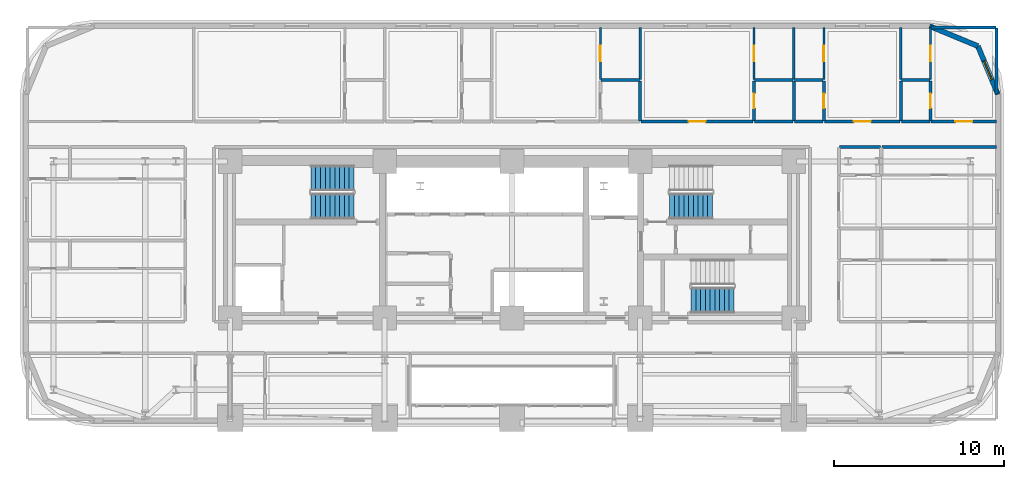
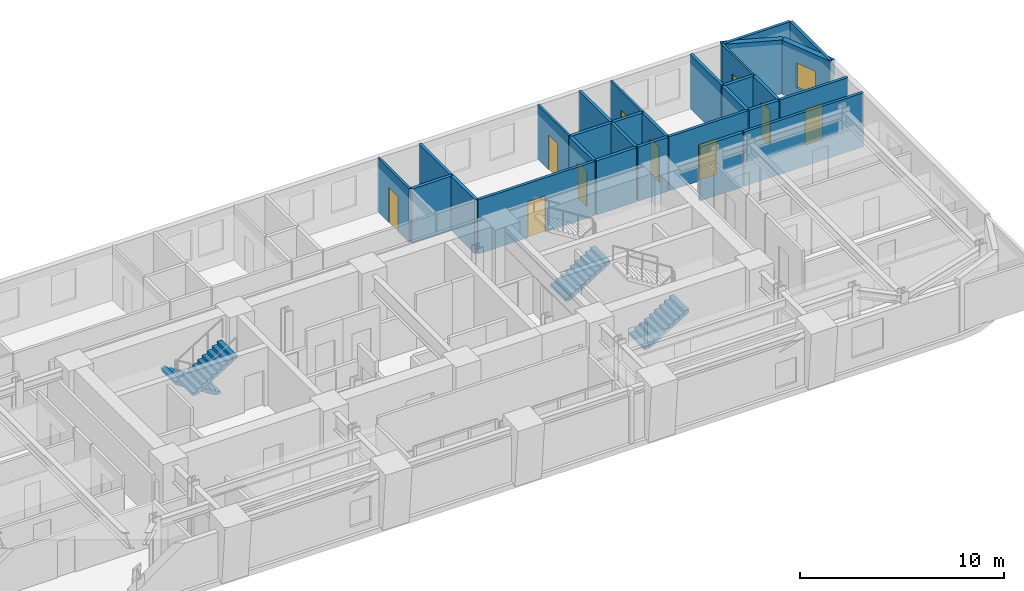
# One storey, part 11 of 16: 29 walls, 10 doors, 4 stair flights, 1 window, 11 openings, 3 elements without a shape of their own.
"""IFC4 building model written with IfcOpenShell, lengths in metres."""

from ifc_helpers import new_model, si_unit, direction, frame, frame_2d, origin, place, context, subcontext, project, spatial, polyline, rectangle, outline, extrude, material, layer, layer_set, type_object, element, fill, aggregate, save


model = new_model("IFC4")

# Units and contexts
model_context = context("Model", 3, precision=1e-05, world=origin(), true_north=direction((0.0, 1.0)))
body_context = subcontext(model_context, "Body", "Model", "MODEL_VIEW")
ifc_project = project(units=[si_unit("LENGTHUNIT", "METRE"), si_unit("AREAUNIT", "SQUARE_METRE"), si_unit("VOLUMEUNIT", "CUBIC_METRE"), si_unit("PLANEANGLEUNIT", "RADIAN"), si_unit("MASSUNIT", "GRAM", prefix="KILO")], contexts=[model_context])

# Site, building, storey
site_placement = place(None, origin())
site = spatial("IfcSite", under=ifc_project, at=site_placement, CompositionType="ELEMENT")
building_placement = place(site_placement, origin())
building = spatial("IfcBuilding", under=site, at=building_placement, Name="Zarnavel Station Tower", CompositionType="ELEMENT")
storey_placement = place(building_placement, frame((0.0, 0.0, 46.5)))
storey = spatial("IfcBuildingStorey", under=building, at=storey_placement, Name="L12", CompositionType="ELEMENT", Elevation=46.5)

# Wall, opening, window
ifc_material_1 = material(Name="Precast concrete C45/55 (Dark Basalt Finish)", Category="masonry")
ifc_layer_1 = layer(ifc_material_1, 0.300048828125)
ifc_layer_set_1 = layer_set([ifc_layer_1], Name="EW_BASALT_300")
wall_type_1 = type_object("IfcWallType", Name="EW_BASALT_300", PredefinedType="SOLIDWALL", material=ifc_layer_set_1)
wall_1_placement = place(storey_placement, frame((56.24267578125, 43.842529296875, 0.0), z_axis=(0.0, 0.0, 1.0), x_axis=(0.382636798336, -0.92389884758, 0.0)))
wall_1 = element("IfcWall", 1, at=wall_1_placement, inside=storey, type_object=wall_type_1, Name="L12 Exterior Basalt Masonry Frame Wall 04", PredefinedType="SOLIDWALL", context=body_context, shape_type="SweptSolid", body=[
    extrude(rectangle(XDim=3.07666015625, YDim=0.300048828125, at=frame_2d((1.538330078125, 0.0))), origin(), (0.0, 0.0, 1.0), 3.239990234375),
])
opening_1_placement = place(wall_1_placement, frame((0.9384765625, 0.0, 0.75)))
opening_1 = element("IfcOpeningElement", 2, at=opening_1_placement, cuts=wall_1, Name="Opening WN08", PredefinedType="OPENING", context=body_context, shape_type="SweptSolid", body=[
    extrude(rectangle(XDim=1.199951171875, YDim=1.5, at=frame_2d((0.60009765625, 0.75))), frame((0.0, 0.159912109375, 0.0), z_axis=(0.0, -1.0, 0.0), x_axis=(1.0, 0.0, 0.0)), (0.0, 0.0, 1.0), 0.320068359375),
])
ifc_material_2 = material(Name="Thermally Broken Black Aluminium and Low-E Dark Glass", Category="aluminium")
window_type = type_object("IfcWindowType", Name="WN_1200x1500", PartitioningType="SINGLE_PANEL", PredefinedType="WINDOW", material=ifc_material_2)
window_placement = place(opening_1_placement, origin())
window = element("IfcWindow", 3, at=window_placement, inside=storey, type_object=window_type, Name="L12 Recessed Facade Window 01", OverallHeight=1.5, OverallWidth=1.199951171875, PartitioningType="SINGLE_PANEL", PredefinedType="WINDOW", context=body_context, shape_type="SweptSolid", body=[
    extrude(rectangle(XDim=1.199951171875, YDim=1.5, at=frame_2d((0.60009765625, 0.75))), frame((0.0, 0.030029296875, 0.0), z_axis=(0.0, -1.0, 0.0), x_axis=(1.0, 0.0, 0.0)), (0.0, 0.0, 1.0), 0.06005859375),
])
fill(opening_1, window)

# Walls
wall_2_placement = place(storey_placement, frame((53.39990234375, 45.02001953125, 0.0), z_axis=(0.0, 0.0, 1.0), x_axis=(0.923882414032, -0.382676475685, 0.0)))
element("IfcWall", 4, at=wall_2_placement, inside=storey, type_object=wall_type_1, Name="L12 Exterior Basalt Masonry Frame Wall 05", PredefinedType="SOLIDWALL", context=body_context, shape_type="SweptSolid", body=[
    extrude(rectangle(XDim=3.076904296875, YDim=0.300048828125, at=frame_2d((1.53857421875, 0.0))), origin(), (0.0, 0.0, 1.0), 3.239990234375),
])
ifc_material_3 = material(Name="Gypsum Twin-Stud Acoustic Fire Partition", Category="concrete")
ifc_layer_2 = layer(ifc_material_3, 0.159912109375)
ifc_layer_set_2 = layer_set([ifc_layer_2], Name="PT_DEMISE_160")
wall_type_2 = type_object("IfcWallType", Name="PT_DEMISE_160", PredefinedType="PARTITIONING", material=ifc_layer_set_2)
wall_3_placement = place(storey_placement, frame((50.590087890625, 37.89990234375, 0.0), z_axis=(0.0, 0.0, 1.0), x_axis=(1.0, 0.0, 0.0)))
element("IfcWall", 5, at=wall_3_placement, inside=storey, type_object=wall_type_2, Name="L12 Partition COR-N-FNE2S", PredefinedType="PARTITIONING", context=body_context, shape_type="SweptSolid", body=[
    extrude(rectangle(XDim=6.75, YDim=0.159912109375, at=frame_2d((3.375, 0.0))), origin(), (0.0, 0.0, 1.0), 3.239990234375),
])

# Wall, opening, door
wall_4_placement = place(storey_placement, frame((36.389892578125, 39.39990234375, 0.0), z_axis=(0.0, 0.0, 1.0), x_axis=(1.0, 0.0, 0.0)))
wall_4 = element("IfcWall", 6, at=wall_4_placement, inside=storey, type_object=wall_type_2, Name="L12 Partition COR-N-HN4R", PredefinedType="PARTITIONING", context=body_context, shape_type="SweptSolid", body=[
    extrude(rectangle(XDim=6.6201171875, YDim=0.159912109375, at=frame_2d((3.31005859375, 0.0))), origin(), (0.0, 0.0, 1.0), 3.239990234375),
])
opening_2_placement = place(wall_4_placement, frame((2.81005859375, 0.0, 0.0)))
opening_2 = element("IfcOpeningElement", 7, at=opening_2_placement, cuts=wall_4, Name="Opening FD02", PredefinedType="OPENING", context=body_context, shape_type="SweptSolid", body=[
    extrude(rectangle(XDim=1.0, YDim=2.14990234375, at=frame_2d((0.5, 1.074951171875))), frame((0.0, 0.08984375, 0.0), z_axis=(0.0, -1.0, 0.0), x_axis=(1.0, 0.0, 0.0)), (0.0, 0.0, 1.0), 0.179931640625),
])
ifc_material_4 = material(Name="Painted Galvanised Steel and Hardwood Leaf", Category="steel")
door_type_1 = type_object("IfcDoorType", Name="ID_ENTRY_1000", OperationType="NOTDEFINED", PredefinedType="DOOR", material=ifc_material_4)
door_1_placement = place(opening_2_placement, origin())
door_1 = element("IfcDoor", 8, at=door_1_placement, inside=storey, type_object=door_type_1, Name="L12 Door COR-N-HN4R", OperationType="SINGLE_SWING_RIGHT", OverallHeight=2.14990234375, OverallWidth=1.0, PredefinedType="DOOR", context=body_context, shape_type="SweptSolid", body=[
    extrude(rectangle(XDim=1.0, YDim=2.14990234375, at=frame_2d((0.5, 1.074951171875))), frame((0.0, 0.02490234375, 0.0), z_axis=(0.0, -1.0, 0.0), x_axis=(1.0, 0.0, 0.0)), (0.0, 0.0, 1.0), 0.050048828125),
])
fill(opening_2, door_1)

wall_5_placement = place(storey_placement, frame((47.205078125, 39.39990234375, 0.0), z_axis=(0.0, 0.0, 1.0), x_axis=(1.0, 0.0, 0.0)))
wall_5 = element("IfcWall", 9, at=wall_5_placement, inside=storey, type_object=wall_type_2, Name="L12 Partition COR-N-HN5R", PredefinedType="PARTITIONING", context=body_context, shape_type="SweptSolid", body=[
    extrude(rectangle(XDim=4.458984375, YDim=0.159912109375, at=frame_2d((2.2294921875, 0.0))), origin(), (0.0, 0.0, 1.0), 3.239990234375),
])
opening_3_placement = place(wall_5_placement, frame((1.7294921875, 0.0, 0.0)))
opening_3 = element("IfcOpeningElement", 10, at=opening_3_placement, cuts=wall_5, Name="Opening FD02", PredefinedType="OPENING", context=body_context, shape_type="SweptSolid", body=[
    extrude(rectangle(XDim=1.0, YDim=2.14990234375, at=frame_2d((0.5, 1.074951171875))), frame((0.0, 0.08984375, 0.0), z_axis=(0.0, -1.0, 0.0), x_axis=(1.0, 0.0, 0.0)), (0.0, 0.0, 1.0), 0.179931640625),
])
door_2_placement = place(opening_3_placement, origin())
door_2 = element("IfcDoor", 11, at=door_2_placement, inside=storey, type_object=door_type_1, Name="L12 Door COR-N-HN5R", OperationType="SINGLE_SWING_LEFT", OverallHeight=2.14990234375, OverallWidth=1.0, PredefinedType="DOOR", context=body_context, shape_type="SweptSolid", body=[
    extrude(rectangle(XDim=1.0, YDim=2.14990234375, at=frame_2d((0.5, 1.074951171875))), frame((0.0, 0.02490234375, 0.0), z_axis=(0.0, -1.0, 0.0), x_axis=(1.0, 0.0, 0.0)), (0.0, 0.0, 1.0), 0.050048828125),
])
fill(opening_3, door_2)

wall_6_placement = place(storey_placement, frame((53.493896484375, 39.39990234375, 0.0), z_axis=(0.0, 0.0, 1.0), x_axis=(1.0, 0.0, 0.0)))
wall_6 = element("IfcWall", 12, at=wall_6_placement, inside=storey, type_object=wall_type_2, Name="L12 Partition COR-N-HN6R", PredefinedType="PARTITIONING", context=body_context, shape_type="SweptSolid", body=[
    extrude(rectangle(XDim=3.84619140625, YDim=0.159912109375, at=frame_2d((1.923095703125, 0.0))), origin(), (0.0, 0.0, 1.0), 3.239990234375),
])
opening_4_placement = place(wall_6_placement, frame((1.423095703125, 0.0, 0.0)))
opening_4 = element("IfcOpeningElement", 13, at=opening_4_placement, cuts=wall_6, Name="Opening FD02", PredefinedType="OPENING", context=body_context, shape_type="SweptSolid", body=[
    extrude(rectangle(XDim=1.0, YDim=2.14990234375, at=frame_2d((0.5, 1.074951171875))), frame((0.0, 0.08984375, 0.0), z_axis=(0.0, -1.0, 0.0), x_axis=(1.0, 0.0, 0.0)), (0.0, 0.0, 1.0), 0.179931640625),
])
door_3_placement = place(opening_4_placement, origin())
door_3 = element("IfcDoor", 14, at=door_3_placement, inside=storey, type_object=door_type_1, Name="L12 Door COR-N-HN6R", OperationType="SINGLE_SWING_RIGHT", OverallHeight=2.14990234375, OverallWidth=1.0, PredefinedType="DOOR", context=body_context, shape_type="SweptSolid", body=[
    extrude(rectangle(XDim=1.0, YDim=2.14990234375, at=frame_2d((0.5, 1.074951171875))), frame((0.0, 0.02490234375, 0.0), z_axis=(0.0, -1.0, 0.0), x_axis=(1.0, 0.0, 0.0)), (0.0, 0.0, 1.0), 0.050048828125),
])
fill(opening_4, door_3)

# Walls
for number, where, z_axis, x_axis, name in (
    (15, (36.35009765625, 41.8779296875, 0.0), (0.0, 0.0, 1.0), (0.0, 1.0, 0.0), "L12 Partition HN3S-HN4R"),
    (16, (45.39990234375, 41.8779296875, 0.0), (0.0, 0.0, 1.0), (0.0, 1.0, 0.0), "L12 Partition HN4S-HN5S"),
    (17, (51.7041015625, 41.8779296875, 0.0), (0.0, 0.0, 1.0), (0.0, 1.0, 0.0), "L12 Partition HN5R-HN6S"),
):
    element("IfcWall", number, at=place(storey_placement, frame(where, z_axis=z_axis, x_axis=x_axis)), inside=storey, type_object=wall_type_2, Name=name, PredefinedType="PARTITIONING", context=body_context, shape_type="SweptSolid", body=[
        extrude(rectangle(XDim=3.06201171875, YDim=0.159912109375, at=frame_2d((1.531005859375, 0.0))), origin(), (0.0, 0.0, 1.0), 3.239990234375),
    ])
wall_7_placement = place(storey_placement, frame((53.48388671875, 44.93994140625, 0.0), z_axis=(0.0, 0.0, 1.0), x_axis=(1.0, 0.0, 0.0)))
element("IfcWall", 18, at=wall_7_placement, inside=storey, type_object=wall_type_2, Name="L12 Enclosure Wall HN6R", PredefinedType="PARTITIONING", context=body_context, shape_type="SweptSolid", body=[
    extrude(rectangle(XDim=3.826171875, YDim=0.159912109375, at=frame_2d((1.9130859375, 0.0))), origin(), (0.0, 0.0, 1.0), 3.239990234375),
])
wall_8_placement = place(storey_placement, frame((57.340087890625, 41.030029296875, 0.0), z_axis=(0.0, 0.0, 1.0), x_axis=(0.0, 1.0, 0.0)))
element("IfcWall", 19, at=wall_8_placement, inside=storey, type_object=wall_type_2, Name="L12 Enclosure Wall HN6R", PredefinedType="PARTITIONING", context=body_context, shape_type="SweptSolid", body=[
    extrude(rectangle(XDim=3.8798828125, YDim=0.159912109375, at=frame_2d((1.93994140625, 0.0))), origin(), (0.0, 0.0, 1.0), 3.239990234375),
])

# Wall, opening, door
ifc_material_5 = material(Name="Gypsum Metal-Stud Interior Partition", Category="concrete")
ifc_layer_3 = layer(ifc_material_5, 0.1201171875)
ifc_layer_set_3 = layer_set([ifc_layer_3], Name="PT_ROOM_120")
wall_type_3 = type_object("IfcWallType", Name="PT_ROOM_120", PredefinedType="PARTITIONING", material=ifc_layer_set_3)
wall_9_placement = place(storey_placement, frame((34.0, 41.8779296875, 0.0), z_axis=(0.0, 0.0, 1.0), x_axis=(0.0, 1.0, 0.0)))
wall_9 = element("IfcWall", 20, at=wall_9_placement, inside=storey, type_object=wall_type_3, Name="L12 Partition HN3R-HN3S", PredefinedType="PARTITIONING", context=body_context, shape_type="SweptSolid", body=[
    extrude(rectangle(XDim=3.06201171875, YDim=0.1201171875, at=frame_2d((1.531005859375, 0.0))), origin(), (0.0, 0.0, 1.0), 3.239990234375),
])
opening_5_placement = place(wall_9_placement, frame((1.0810546875, 0.0, 0.0)))
opening_5 = element("IfcOpeningElement", 21, at=opening_5_placement, cuts=wall_9, Name="Opening ID01", PredefinedType="OPENING", context=body_context, shape_type="SweptSolid", body=[
    extrude(rectangle(XDim=0.89990234375, YDim=2.10009765625, at=frame_2d((0.449951171875, 1.050048828125))), frame((0.0, 0.070068359375, 0.0), z_axis=(0.0, -1.0, 0.0), x_axis=(1.0, 0.0, 0.0)), (0.0, 0.0, 1.0), 0.14013671875),
])
ifc_material_6 = material(Name="Painted Galvanised Steel and Hardwood Leaf", Category="steel")
door_type_2 = type_object("IfcDoorType", Name="ID_ROOM_900", OperationType="NOTDEFINED", PredefinedType="DOOR", material=ifc_material_6)
door_4_placement = place(opening_5_placement, origin())
door_4 = element("IfcDoor", 22, at=door_4_placement, inside=storey, type_object=door_type_2, Name="L12 Door HN3R-HN3S", OperationType="SINGLE_SWING_RIGHT", OverallHeight=2.10009765625, OverallWidth=0.89990234375, PredefinedType="DOOR", context=body_context, shape_type="SweptSolid", body=[
    extrude(rectangle(XDim=0.89990234375, YDim=2.10009765625, at=frame_2d((0.449951171875, 1.050048828125))), frame((0.0, 0.02490234375, 0.0), z_axis=(0.0, -1.0, 0.0), x_axis=(1.0, 0.0, 0.0)), (0.0, 0.0, 1.0), 0.050048828125),
])
fill(opening_5, door_4)

wall_10_placement = place(storey_placement, frame((43.050048828125, 41.8779296875, 0.0), z_axis=(0.0, 0.0, 1.0), x_axis=(0.0, 1.0, 0.0)))
wall_10 = element("IfcWall", 23, at=wall_10_placement, inside=storey, type_object=wall_type_3, Name="L12 Partition HN4R-HN4S", PredefinedType="PARTITIONING", context=body_context, shape_type="SweptSolid", body=[
    extrude(rectangle(XDim=3.06201171875, YDim=0.1201171875, at=frame_2d((1.531005859375, 0.0))), origin(), (0.0, 0.0, 1.0), 3.239990234375),
])
opening_6_placement = place(wall_10_placement, frame((1.0810546875, 0.0, 0.0)))
opening_6 = element("IfcOpeningElement", 24, at=opening_6_placement, cuts=wall_10, Name="Opening ID01", PredefinedType="OPENING", context=body_context, shape_type="SweptSolid", body=[
    extrude(rectangle(XDim=0.89990234375, YDim=2.10009765625, at=frame_2d((0.449951171875, 1.050048828125))), frame((0.0, 0.070068359375, 0.0), z_axis=(0.0, -1.0, 0.0), x_axis=(1.0, 0.0, 0.0)), (0.0, 0.0, 1.0), 0.14013671875),
])
door_5_placement = place(opening_6_placement, origin())
door_5 = element("IfcDoor", 25, at=door_5_placement, inside=storey, type_object=door_type_2, Name="L12 Door HN4R-HN4S", OperationType="SINGLE_SWING_RIGHT", OverallHeight=2.10009765625, OverallWidth=0.89990234375, PredefinedType="DOOR", context=body_context, shape_type="SweptSolid", body=[
    extrude(rectangle(XDim=0.89990234375, YDim=2.10009765625, at=frame_2d((0.449951171875, 1.050048828125))), frame((0.0, 0.02490234375, 0.0), z_axis=(0.0, -1.0, 0.0), x_axis=(1.0, 0.0, 0.0)), (0.0, 0.0, 1.0), 0.050048828125),
])
fill(opening_6, door_5)

wall_11_placement = place(storey_placement, frame((47.1650390625, 41.8779296875, 0.0), z_axis=(0.0, 0.0, 1.0), x_axis=(0.0, 1.0, 0.0)))
wall_11 = element("IfcWall", 26, at=wall_11_placement, inside=storey, type_object=wall_type_3, Name="L12 Partition HN5R-HN5S", PredefinedType="PARTITIONING", context=body_context, shape_type="SweptSolid", body=[
    extrude(rectangle(XDim=3.06201171875, YDim=0.1201171875, at=frame_2d((1.531005859375, 0.0))), origin(), (0.0, 0.0, 1.0), 3.239990234375),
])
opening_7_placement = place(wall_11_placement, frame((1.0810546875, 0.0, 0.0)))
opening_7 = element("IfcOpeningElement", 27, at=opening_7_placement, cuts=wall_11, Name="Opening ID01", PredefinedType="OPENING", context=body_context, shape_type="SweptSolid", body=[
    extrude(rectangle(XDim=0.89990234375, YDim=2.10009765625, at=frame_2d((0.449951171875, 1.050048828125))), frame((0.0, 0.070068359375, 0.0), z_axis=(0.0, -1.0, 0.0), x_axis=(1.0, 0.0, 0.0)), (0.0, 0.0, 1.0), 0.14013671875),
])
door_6_placement = place(opening_7_placement, origin())
door_6 = element("IfcDoor", 28, at=door_6_placement, inside=storey, type_object=door_type_2, Name="L12 Door HN5R-HN5S", OperationType="SINGLE_SWING_RIGHT", OverallHeight=2.10009765625, OverallWidth=0.89990234375, PredefinedType="DOOR", context=body_context, shape_type="SweptSolid", body=[
    extrude(rectangle(XDim=0.89990234375, YDim=2.10009765625, at=frame_2d((0.449951171875, 1.050048828125))), frame((0.0, 0.02490234375, 0.0), z_axis=(0.0, -1.0, 0.0), x_axis=(1.0, 0.0, 0.0)), (0.0, 0.0, 1.0), 0.050048828125),
])
fill(opening_7, door_6)

wall_12_placement = place(storey_placement, frame((53.4541015625, 41.8779296875, 0.0), z_axis=(0.0, 0.0, 1.0), x_axis=(0.0, 1.0, 0.0)))
wall_12 = element("IfcWall", 29, at=wall_12_placement, inside=storey, type_object=wall_type_3, Name="L12 Partition HN6R-HN6S", PredefinedType="PARTITIONING", context=body_context, shape_type="SweptSolid", body=[
    extrude(rectangle(XDim=3.06201171875, YDim=0.1201171875, at=frame_2d((1.531005859375, 0.0))), origin(), (0.0, 0.0, 1.0), 3.239990234375),
])
opening_8_placement = place(wall_12_placement, frame((1.0810546875, 0.0, 0.0)))
opening_8 = element("IfcOpeningElement", 30, at=opening_8_placement, cuts=wall_12, Name="Opening ID01", PredefinedType="OPENING", context=body_context, shape_type="SweptSolid", body=[
    extrude(rectangle(XDim=0.89990234375, YDim=2.10009765625, at=frame_2d((0.449951171875, 1.050048828125))), frame((0.0, 0.070068359375, 0.0), z_axis=(0.0, -1.0, 0.0), x_axis=(1.0, 0.0, 0.0)), (0.0, 0.0, 1.0), 0.14013671875),
])
door_7_placement = place(opening_8_placement, origin())
door_7 = element("IfcDoor", 31, at=door_7_placement, inside=storey, type_object=door_type_2, Name="L12 Door HN6R-HN6S", OperationType="SINGLE_SWING_RIGHT", OverallHeight=2.10009765625, OverallWidth=0.89990234375, PredefinedType="DOOR", context=body_context, shape_type="SweptSolid", body=[
    extrude(rectangle(XDim=0.89990234375, YDim=2.10009765625, at=frame_2d((0.449951171875, 1.050048828125))), frame((0.0, 0.02490234375, 0.0), z_axis=(0.0, -1.0, 0.0), x_axis=(1.0, 0.0, 0.0)), (0.0, 0.0, 1.0), 0.050048828125),
])
fill(opening_8, door_7)

# Walls
ifc_material_7 = material(Name="Moisture-Resistant Plumbing Chase Wall", Category="concrete")
ifc_layer_4 = layer(ifc_material_7, 0.179931640625)
ifc_layer_set_4 = layer_set([ifc_layer_4], Name="PW_PLUMB_180")
wall_type_4 = type_object("IfcWallType", Name="PW_PLUMB_180", PredefinedType="PLUMBINGWALL", material=ifc_layer_set_4)
wall_13_placement = place(storey_placement, frame((48.090087890625, 37.89990234375, 0.0), z_axis=(0.0, 0.0, 1.0), x_axis=(1.0, 0.0, 0.0)))
element("IfcWall", 32, at=wall_13_placement, inside=storey, type_object=wall_type_4, Name="L12 Partition COR-N-FNE2B", PredefinedType="PLUMBINGWALL", context=body_context, shape_type="SweptSolid", body=[
    extrude(rectangle(XDim=2.419921875, YDim=0.179931640625, at=frame_2d((1.2099609375, 0.0))), origin(), (0.0, 0.0, 1.0), 3.239990234375),
])
wall_14_placement = place(storey_placement, frame((43.090087890625, 39.39990234375, 0.0), z_axis=(0.0, 0.0, 1.0), x_axis=(1.0, 0.0, 0.0)))
element("IfcWall", 33, at=wall_14_placement, inside=storey, type_object=wall_type_4, Name="L12 Partition COR-N-HN4B", PredefinedType="PLUMBINGWALL", context=body_context, shape_type="SweptSolid", body=[
    extrude(rectangle(XDim=2.27001953125, YDim=0.179931640625, at=frame_2d((1.135009765625, 0.0))), origin(), (0.0, 0.0, 1.0), 3.239990234375),
])
wall_15_placement = place(storey_placement, frame((45.43994140625, 39.39990234375, 0.0), z_axis=(0.0, 0.0, 1.0), x_axis=(1.0, 0.0, 0.0)))
element("IfcWall", 34, at=wall_15_placement, inside=storey, type_object=wall_type_4, Name="L12 Partition COR-N-HN5B", PredefinedType="PLUMBINGWALL", context=body_context, shape_type="SweptSolid", body=[
    extrude(rectangle(XDim=1.68505859375, YDim=0.179931640625, at=frame_2d((0.842529296875, 0.0))), origin(), (0.0, 0.0, 1.0), 3.239990234375),
])
wall_16_placement = place(storey_placement, frame((51.743896484375, 39.39990234375, 0.0), z_axis=(0.0, 0.0, 1.0), x_axis=(1.0, 0.0, 0.0)))
element("IfcWall", 35, at=wall_16_placement, inside=storey, type_object=wall_type_4, Name="L12 Partition COR-N-HN6B", PredefinedType="PLUMBINGWALL", context=body_context, shape_type="SweptSolid", body=[
    extrude(rectangle(XDim=1.670166015625, YDim=0.179931640625, at=frame_2d((0.8349609375, 0.0))), origin(), (0.0, 0.0, 1.0), 3.239990234375),
])
wall_17_placement = place(storey_placement, frame((34.0400390625, 41.837890625, 0.0), z_axis=(0.0, 0.0, 1.0), x_axis=(1.0, 0.0, 0.0)))
element("IfcWall", 36, at=wall_17_placement, inside=storey, type_object=wall_type_4, Name="L12 Partition HN3B-HN3S", PredefinedType="PLUMBINGWALL", context=body_context, shape_type="SweptSolid", body=[
    extrude(rectangle(XDim=2.27001953125, YDim=0.179931640625, at=frame_2d((1.135009765625, 0.0))), origin(), (0.0, 0.0, 1.0), 3.239990234375),
])
wall_18_placement = place(storey_placement, frame((36.35009765625, 39.43994140625, 0.0), z_axis=(0.0, 0.0, 1.0), x_axis=(0.0, 1.0, 0.0)))
element("IfcWall", 37, at=wall_18_placement, inside=storey, type_object=wall_type_4, Name="L12 Partition HN3B-HN4R", PredefinedType="PLUMBINGWALL", context=body_context, shape_type="SweptSolid", body=[
    extrude(rectangle(XDim=2.358154296875, YDim=0.179931640625, at=frame_2d((1.17919921875, 0.0))), origin(), (0.0, 0.0, 1.0), 3.239990234375),
])

# Wall, opening, door
wall_19_placement = place(storey_placement, frame((43.050048828125, 39.43994140625, 0.0), z_axis=(0.0, 0.0, 1.0), x_axis=(0.0, 1.0, 0.0)))
wall_19 = element("IfcWall", 38, at=wall_19_placement, inside=storey, type_object=wall_type_4, Name="L12 Partition HN4R-HN4B", PredefinedType="PLUMBINGWALL", context=body_context, shape_type="SweptSolid", body=[
    extrude(rectangle(XDim=2.358154296875, YDim=0.179931640625, at=frame_2d((1.17919921875, 0.0))), origin(), (0.0, 0.0, 1.0), 3.239990234375),
])
opening_9_placement = place(wall_19_placement, frame((0.75390625, 0.0, 0.0)))
opening_9 = element("IfcOpeningElement", 39, at=opening_9_placement, cuts=wall_19, Name="Opening ID02", PredefinedType="OPENING", context=body_context, shape_type="SweptSolid", body=[
    extrude(rectangle(XDim=0.85009765625, YDim=2.10009765625, at=frame_2d((0.425048828125, 1.050048828125))), frame((0.0, 0.099853515625, 0.0), z_axis=(0.0, -1.0, 0.0), x_axis=(1.0, 0.0, 0.0)), (0.0, 0.0, 1.0), 0.199951171875),
])
ifc_material_8 = material(Name="Painted Galvanised Steel and Hardwood Leaf", Category="steel")
door_type_3 = type_object("IfcDoorType", Name="ID_BATH_850", OperationType="NOTDEFINED", PredefinedType="DOOR", material=ifc_material_8)
door_8_placement = place(opening_9_placement, origin())
door_8 = element("IfcDoor", 40, at=door_8_placement, inside=storey, type_object=door_type_3, Name="L12 Door HN4R-HN4B", OperationType="SINGLE_SWING_LEFT", OverallHeight=2.10009765625, OverallWidth=0.85009765625, PredefinedType="DOOR", context=body_context, shape_type="SweptSolid", body=[
    extrude(rectangle(XDim=0.85009765625, YDim=2.10009765625, at=frame_2d((0.425048828125, 1.050048828125))), frame((0.0, 0.02490234375, 0.0), z_axis=(0.0, -1.0, 0.0), x_axis=(1.0, 0.0, 0.0)), (0.0, 0.0, 1.0), 0.050048828125),
])
fill(opening_9, door_8)

# Walls
wall_20_placement = place(storey_placement, frame((43.090087890625, 41.837890625, 0.0), z_axis=(0.0, 0.0, 1.0), x_axis=(1.0, 0.0, 0.0)))
element("IfcWall", 41, at=wall_20_placement, inside=storey, type_object=wall_type_4, Name="L12 Partition HN4B-HN4S", PredefinedType="PLUMBINGWALL", context=body_context, shape_type="SweptSolid", body=[
    extrude(rectangle(XDim=2.27001953125, YDim=0.179931640625, at=frame_2d((1.135009765625, 0.0))), origin(), (0.0, 0.0, 1.0), 3.239990234375),
])
wall_21_placement = place(storey_placement, frame((45.39990234375, 39.43994140625, 0.0), z_axis=(0.0, 0.0, 1.0), x_axis=(0.0, 1.0, 0.0)))
element("IfcWall", 42, at=wall_21_placement, inside=storey, type_object=wall_type_4, Name="L12 Partition HN4B-HN5B", PredefinedType="PLUMBINGWALL", context=body_context, shape_type="SweptSolid", body=[
    extrude(rectangle(XDim=2.358154296875, YDim=0.179931640625, at=frame_2d((1.17919921875, 0.0))), origin(), (0.0, 0.0, 1.0), 3.239990234375),
])

# Wall, opening, door
wall_22_placement = place(storey_placement, frame((47.1650390625, 39.43994140625, 0.0), z_axis=(0.0, 0.0, 1.0), x_axis=(0.0, 1.0, 0.0)))
wall_22 = element("IfcWall", 43, at=wall_22_placement, inside=storey, type_object=wall_type_4, Name="L12 Partition HN5R-HN5B", PredefinedType="PLUMBINGWALL", context=body_context, shape_type="SweptSolid", body=[
    extrude(rectangle(XDim=2.358154296875, YDim=0.179931640625, at=frame_2d((1.17919921875, 0.0))), origin(), (0.0, 0.0, 1.0), 3.239990234375),
])
opening_10_placement = place(wall_22_placement, frame((0.75390625, 0.0, 0.0)))
opening_10 = element("IfcOpeningElement", 44, at=opening_10_placement, cuts=wall_22, Name="Opening ID02", PredefinedType="OPENING", context=body_context, shape_type="SweptSolid", body=[
    extrude(rectangle(XDim=0.85009765625, YDim=2.10009765625, at=frame_2d((0.425048828125, 1.050048828125))), frame((0.0, 0.099853515625, 0.0), z_axis=(0.0, -1.0, 0.0), x_axis=(1.0, 0.0, 0.0)), (0.0, 0.0, 1.0), 0.199951171875),
])
door_9_placement = place(opening_10_placement, origin())
door_9 = element("IfcDoor", 45, at=door_9_placement, inside=storey, type_object=door_type_3, Name="L12 Door HN5R-HN5B", OperationType="SINGLE_SWING_LEFT", OverallHeight=2.10009765625, OverallWidth=0.85009765625, PredefinedType="DOOR", context=body_context, shape_type="SweptSolid", body=[
    extrude(rectangle(XDim=0.85009765625, YDim=2.10009765625, at=frame_2d((0.425048828125, 1.050048828125))), frame((0.0, 0.02490234375, 0.0), z_axis=(0.0, -1.0, 0.0), x_axis=(1.0, 0.0, 0.0)), (0.0, 0.0, 1.0), 0.050048828125),
])
fill(opening_10, door_9)

# Walls
wall_23_placement = place(storey_placement, frame((51.7041015625, 39.43994140625, 0.0), z_axis=(0.0, 0.0, 1.0), x_axis=(0.0, 1.0, 0.0)))
element("IfcWall", 46, at=wall_23_placement, inside=storey, type_object=wall_type_4, Name="L12 Partition HN5R-HN6B", PredefinedType="PLUMBINGWALL", context=body_context, shape_type="SweptSolid", body=[
    extrude(rectangle(XDim=2.358154296875, YDim=0.179931640625, at=frame_2d((1.17919921875, 0.0))), origin(), (0.0, 0.0, 1.0), 3.239990234375),
])
wall_24_placement = place(storey_placement, frame((45.43994140625, 41.837890625, 0.0), z_axis=(0.0, 0.0, 1.0), x_axis=(1.0, 0.0, 0.0)))
element("IfcWall", 47, at=wall_24_placement, inside=storey, type_object=wall_type_4, Name="L12 Partition HN5B-HN5S", PredefinedType="PLUMBINGWALL", context=body_context, shape_type="SweptSolid", body=[
    extrude(rectangle(XDim=1.68505859375, YDim=0.179931640625, at=frame_2d((0.842529296875, 0.0))), origin(), (0.0, 0.0, 1.0), 3.239990234375),
])

# Wall, opening, door
wall_25_placement = place(storey_placement, frame((53.4541015625, 39.43994140625, 0.0), z_axis=(0.0, 0.0, 1.0), x_axis=(0.0, 1.0, 0.0)))
wall_25 = element("IfcWall", 48, at=wall_25_placement, inside=storey, type_object=wall_type_4, Name="L12 Partition HN6R-HN6B", PredefinedType="PLUMBINGWALL", context=body_context, shape_type="SweptSolid", body=[
    extrude(rectangle(XDim=2.358154296875, YDim=0.179931640625, at=frame_2d((1.17919921875, 0.0))), origin(), (0.0, 0.0, 1.0), 3.239990234375),
])
opening_11_placement = place(wall_25_placement, frame((0.75390625, 0.0, 0.0)))
opening_11 = element("IfcOpeningElement", 49, at=opening_11_placement, cuts=wall_25, Name="Opening ID02", PredefinedType="OPENING", context=body_context, shape_type="SweptSolid", body=[
    extrude(rectangle(XDim=0.85009765625, YDim=2.10009765625, at=frame_2d((0.425048828125, 1.050048828125))), frame((0.0, 0.099853515625, 0.0), z_axis=(0.0, -1.0, 0.0), x_axis=(1.0, 0.0, 0.0)), (0.0, 0.0, 1.0), 0.199951171875),
])
door_10_placement = place(opening_11_placement, origin())
door_10 = element("IfcDoor", 50, at=door_10_placement, inside=storey, type_object=door_type_3, Name="L12 Door HN6R-HN6B", OperationType="SINGLE_SWING_LEFT", OverallHeight=2.10009765625, OverallWidth=0.85009765625, PredefinedType="DOOR", context=body_context, shape_type="SweptSolid", body=[
    extrude(rectangle(XDim=0.85009765625, YDim=2.10009765625, at=frame_2d((0.425048828125, 1.050048828125))), frame((0.0, 0.02490234375, 0.0), z_axis=(0.0, -1.0, 0.0), x_axis=(1.0, 0.0, 0.0)), (0.0, 0.0, 1.0), 0.050048828125),
])
fill(opening_11, door_10)

# Wall
wall_26_placement = place(storey_placement, frame((51.743896484375, 41.837890625, 0.0), z_axis=(0.0, 0.0, 1.0), x_axis=(1.0, 0.0, 0.0)))
element("IfcWall", 51, at=wall_26_placement, inside=storey, type_object=wall_type_4, Name="L12 Partition HN6B-HN6S", PredefinedType="PLUMBINGWALL", context=body_context, shape_type="SweptSolid", body=[
    extrude(rectangle(XDim=1.670166015625, YDim=0.179931640625, at=frame_2d((0.8349609375, 0.0))), origin(), (0.0, 0.0, 1.0), 3.239990234375),
])

# Stair, stair flights
ifc_material_9 = material(Name="Concrete C45/55", Category="concrete")
stair_type = type_object("IfcStairType", Name="ST_CORE_150", PredefinedType="HALF_TURN_STAIR", material=ifc_material_9)
stair_1_placement = place(storey_placement, origin())
stair_1 = element("IfcStair", 52, at=stair_1_placement, inside=storey, type_object=stair_type, Name="L12 Core Exit Stair ST1", PredefinedType="HALF_TURN_STAIR")
ifc_material_10 = material(Name="Concrete C45/55", Category="concrete")
ifc_layer_5 = layer(ifc_material_10, 0.179931640625)
ifc_layer_set_5 = layer_set([ifc_layer_5], Name="ST_CORE_150_FLT")
stair_flight_type = type_object("IfcStairFlightType", Name="ST_CORE_150_FLT", PredefinedType="STRAIGHT", material=ifc_layer_set_5)
stair_flight_1_placement = place(storey_placement, frame((19.47998046875, 36.070068359375, 0.0), z_axis=(0.0, 0.0, 1.0), x_axis=(-1.0, 0.0, 0.0)))
stair_flight_1 = element("IfcStairFlight", 53, at=stair_flight_1_placement, type_object=stair_flight_type, Name="ST1 flight 1", NumberOfRisers=10, NumberOfTreads=9, PredefinedType="STRAIGHT", RiserHeight=0.175, TreadLength=0.28, context=body_context, shape_type="SweptSolid", body=[
    extrude(outline(polyline([(0.0, 0.0), (0.0, 0.175048828125), (0.280029296875, 0.175048828125), (0.280029296875, 0.35009765625), (0.56005859375, 0.35009765625), (0.56005859375, 0.52490234375), (0.840087890625, 0.52490234375), (0.840087890625, 0.699951171875), (1.1201171875, 0.699951171875), (1.1201171875, 0.875), (1.39990234375, 0.875), (1.39990234375, 1.050048828125), (1.679931640625, 1.050048828125), (1.679931640625, 1.22509765625), (1.9599609375, 1.22509765625), (1.9599609375, 1.39990234375), (2.239990234375, 1.39990234375), (2.239990234375, 1.574951171875), (2.52001953125, 1.574951171875), (2.52001953125, 1.75), (2.52001953125, 1.398193359375), (0.28271484375, 0.0), (0.0, 0.0)])), frame((0.0, 0.75, 0.0), z_axis=(0.0, -1.0, 0.0), x_axis=(1.0, 0.0, 0.0)), (0.0, 0.0, 1.0), 1.5),
])
stair_flight_2_placement = place(storey_placement, frame((16.9599609375, 34.409912109375, 1.75), z_axis=(0.0, 0.0, 1.0), x_axis=(1.0, 0.0, 0.0)))
stair_flight_2 = element("IfcStairFlight", 54, at=stair_flight_2_placement, type_object=stair_flight_type, Name="ST1 flight 2", NumberOfRisers=10, NumberOfTreads=9, PredefinedType="STRAIGHT", RiserHeight=0.175, TreadLength=0.28, context=body_context, shape_type="SweptSolid", body=[
    extrude(outline(polyline([(0.0, 0.0), (0.0, 0.175048828125), (0.280029296875, 0.175048828125), (0.280029296875, 0.35009765625), (0.56005859375, 0.35009765625), (0.56005859375, 0.52490234375), (0.840087890625, 0.52490234375), (0.840087890625, 0.699951171875), (1.1201171875, 0.699951171875), (1.1201171875, 0.875), (1.39990234375, 0.875), (1.39990234375, 1.050048828125), (1.679931640625, 1.050048828125), (1.679931640625, 1.22509765625), (1.9599609375, 1.22509765625), (1.9599609375, 1.39990234375), (2.239990234375, 1.39990234375), (2.239990234375, 1.574951171875), (2.52001953125, 1.574951171875), (2.52001953125, 1.75), (2.52001953125, 1.398193359375), (0.28271484375, 0.0), (0.0, 0.0)])), frame((0.0, 0.75, 0.0), z_axis=(0.0, -1.0, 0.0), x_axis=(1.0, 0.0, 0.0)), (0.0, 0.0, 1.0), 1.5),
])
aggregate(stair_1, [stair_flight_1, stair_flight_2])

# Stair, stair flight
stair_2_placement = place(storey_placement, origin())
stair_2 = element("IfcStair", 55, at=stair_2_placement, inside=storey, type_object=stair_type, Name="L12 Core Exit Stair ST2", PredefinedType="HALF_TURN_STAIR")
stair_flight_3_placement = place(storey_placement, frame((38.080078125, 34.409912109375, 0.0), z_axis=(0.0, 0.0, 1.0), x_axis=(1.0, 0.0, 0.0)))
stair_flight_3 = element("IfcStairFlight", 56, at=stair_flight_3_placement, type_object=stair_flight_type, Name="ST2 flight 1", NumberOfRisers=10, NumberOfTreads=9, PredefinedType="STRAIGHT", RiserHeight=0.175, TreadLength=0.28, context=body_context, shape_type="SweptSolid", body=[
    extrude(outline(polyline([(0.0, 0.0), (0.0, 0.175048828125), (0.280029296875, 0.175048828125), (0.280029296875, 0.35009765625), (0.56005859375, 0.35009765625), (0.56005859375, 0.52490234375), (0.840087890625, 0.52490234375), (0.840087890625, 0.699951171875), (1.1201171875, 0.699951171875), (1.1201171875, 0.875), (1.39990234375, 0.875), (1.39990234375, 1.050048828125), (1.679931640625, 1.050048828125), (1.679931640625, 1.22509765625), (1.9599609375, 1.22509765625), (1.9599609375, 1.39990234375), (2.239990234375, 1.39990234375), (2.239990234375, 1.574951171875), (2.52001953125, 1.574951171875), (2.52001953125, 1.75), (2.52001953125, 1.398193359375), (0.28271484375, 0.0), (0.0, 0.0)])), frame((0.0, 0.75, 0.0), z_axis=(0.0, -1.0, 0.0), x_axis=(1.0, 0.0, 0.0)), (0.0, 0.0, 1.0), 1.5),
])
aggregate(stair_2, [stair_flight_3])

stair_3_placement = place(storey_placement, origin())
stair_3 = element("IfcStair", 57, at=stair_3_placement, inside=storey, type_object=stair_type, Name="L12 Core Exit Stair ST3", PredefinedType="HALF_TURN_STAIR")
stair_flight_4_placement = place(storey_placement, frame((39.35009765625, 28.8701171875, 0.0), z_axis=(0.0, 0.0, 1.0), x_axis=(1.0, 0.0, 0.0)))
stair_flight_4 = element("IfcStairFlight", 58, at=stair_flight_4_placement, type_object=stair_flight_type, Name="ST3 flight 1", NumberOfRisers=10, NumberOfTreads=9, PredefinedType="STRAIGHT", RiserHeight=0.175, TreadLength=0.28, context=body_context, shape_type="SweptSolid", body=[
    extrude(outline(polyline([(0.0, 0.0), (0.0, 0.175048828125), (0.280029296875, 0.175048828125), (0.280029296875, 0.35009765625), (0.56005859375, 0.35009765625), (0.56005859375, 0.52490234375), (0.840087890625, 0.52490234375), (0.840087890625, 0.699951171875), (1.1201171875, 0.699951171875), (1.1201171875, 0.875), (1.39990234375, 0.875), (1.39990234375, 1.050048828125), (1.679931640625, 1.050048828125), (1.679931640625, 1.22509765625), (1.9599609375, 1.22509765625), (1.9599609375, 1.39990234375), (2.239990234375, 1.39990234375), (2.239990234375, 1.574951171875), (2.52001953125, 1.574951171875), (2.52001953125, 1.75), (2.52001953125, 1.398193359375), (0.28271484375, 0.0), (0.0, 0.0)])), frame((0.0, 0.75, 0.0), z_axis=(0.0, -1.0, 0.0), x_axis=(1.0, 0.0, 0.0)), (0.0, 0.0, 1.0), 1.5),
])
aggregate(stair_3, [stair_flight_4])

save(model, "model.ifc")
